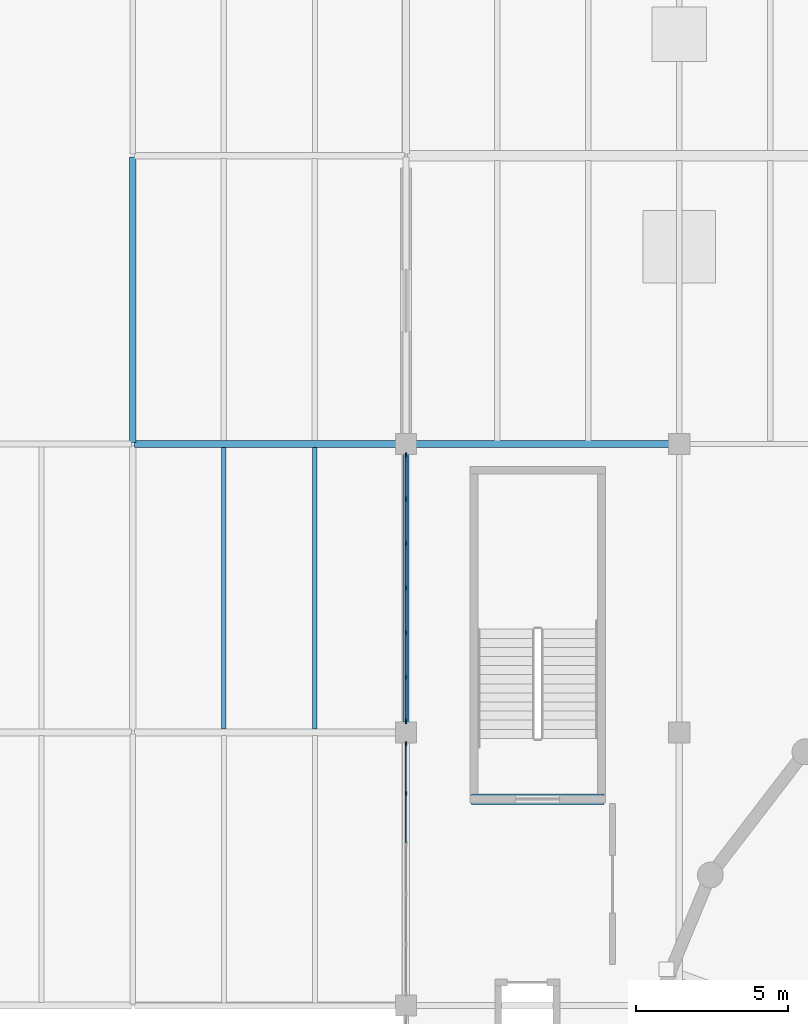
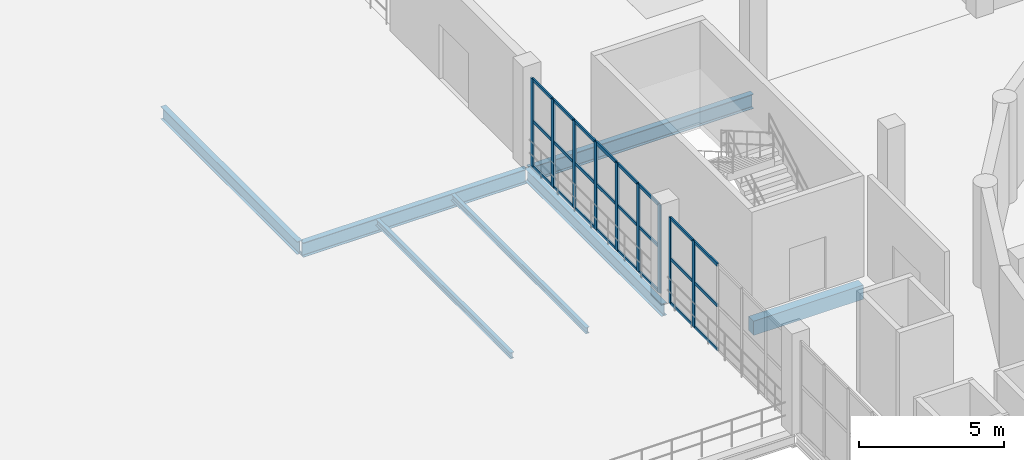
# One storey, part 35 of 73: 33 members, 7 beams, 2 elements without a shape of their own.
"""IFC4 building model written with IfcOpenShell, lengths in metres."""

from ifc_helpers import new_model, si_unit, direction, frame, origin, origin_2d, place, context, subcontext, project, spatial, rectangle, i_section, extrude, material, layer, layer_set, material_profile, profile_set, type_object, element, aggregate, save


model = new_model("IFC4")

# Units and contexts
model_context = context("Model", 3, precision=1e-05, world=origin(), true_north=direction((0.0, 1.0)))
body_context = subcontext(model_context, "Body", "Model", "MODEL_VIEW")
ifc_project = project(units=[si_unit("LENGTHUNIT", "METRE"), si_unit("AREAUNIT", "SQUARE_METRE"), si_unit("VOLUMEUNIT", "CUBIC_METRE"), si_unit("PLANEANGLEUNIT", "RADIAN"), si_unit("MASSUNIT", "GRAM", prefix="KILO")], contexts=[model_context])

# Site, building, storey
site_placement = place(None, origin())
site = spatial("IfcSite", under=ifc_project, at=site_placement, CompositionType="ELEMENT")
building_placement = place(site_placement, origin())
building = spatial("IfcBuilding", under=site, at=building_placement, Name="Marnock Terrace Opera House", CompositionType="ELEMENT")
storey_placement = place(building_placement, frame((0.0, 0.0, 14.699951171875)))
storey = spatial("IfcBuildingStorey", under=building, at=storey_placement, Name="L03", CompositionType="ELEMENT", Elevation=14.699951171875)

# Beams
ifc_material_1 = material(Name="Steel Grade 350 (AS/NZS 3679.1)", Category="steel")
ifc_material_profile_1 = material_profile(ifc_material_1, i_section(OverallWidth=0.208984375, OverallDepth=0.528076171875, WebThickness=0.009521484375, FlangeThickness=0.01318359375, FilletRadius=0.013916015625, at=origin_2d()))
ifc_profile_set_1 = profile_set([ifc_material_profile_1], Name="Steel Grade 350 (AS/NZS 3679.1)")
beam_type_1 = type_object("IfcBeamType", Name="BM-GIRD-530B", PredefinedType="BEAM", material=ifc_profile_set_1)
for number, where, z_axis, x_axis, name in (
    (1, (46.0, 84.550048828125, -0.533935546875), (0.0, 1.0, 0.0), (-1.0, 0.0, 0.0), "L03 girder (X=46.0, 84.5..94.0)"),
    (2, (55.0, 75.050048828125, -0.533935546875), (0.0, 1.0, 0.0), (-1.0, 0.0, 0.0), "L03 girder (X=55.0, 75.0..84.5)"),
):
    element("IfcBeam", number, at=place(storey_placement, frame(where, z_axis=z_axis, x_axis=x_axis)), inside=storey, type_object=beam_type_1, Name=name, PredefinedType="BEAM", context=body_context, shape_type="SweptSolid", body=[
        extrude(i_section(OverallWidth=0.208984375, OverallDepth=0.528076171875, WebThickness=0.009521484375, FlangeThickness=0.01318359375, FilletRadius=0.013916015625, at=origin_2d()), origin(), (0.0, 0.0, 1.0), 9.39990234375),
    ])
ifc_material_profile_2 = material_profile(ifc_material_1, i_section(OverallWidth=0.22900390625, OverallDepth=0.611572265625, WebThickness=0.011962890625, FlangeThickness=0.01953125, FilletRadius=0.013916015625, at=origin_2d()))
ifc_profile_set_2 = profile_set([ifc_material_profile_2], Name="Steel Grade 350 (AS/NZS 3679.1)")
beam_type_2 = type_object("IfcBeamType", Name="BM-GIRD-610A", PredefinedType="BEAM", material=ifc_profile_set_2)
beam_1_placement = place(storey_placement, frame((55.050048828125, 84.5, -0.57568359375), z_axis=(1.0, 0.0, 0.0), x_axis=(0.0, 1.0, 0.0)))
element("IfcBeam", 3, at=beam_1_placement, inside=storey, type_object=beam_type_2, Name="L03 girder (55.0..64.0, Y=84.5)", PredefinedType="BEAM", context=body_context, shape_type="SweptSolid", body=[
    extrude(i_section(OverallWidth=0.22900390625, OverallDepth=0.611572265625, WebThickness=0.011962890625, FlangeThickness=0.01953125, FilletRadius=0.013916015625, at=origin_2d()), origin(), (0.0, 0.0, 1.0), 8.89990234375),
])
ifc_material_profile_3 = material_profile(ifc_material_1, i_section(OverallWidth=0.22802734375, OverallDepth=0.60693359375, WebThickness=0.01123046875, FlangeThickness=0.017333984375, FilletRadius=0.013916015625, at=origin_2d()))
ifc_profile_set_3 = profile_set([ifc_material_profile_3], Name="Steel Grade 350 (AS/NZS 3679.1)")
beam_type_3 = type_object("IfcBeamType", Name="BM-GIRD-610B", PredefinedType="BEAM", material=ifc_profile_set_3)
beam_2_placement = place(storey_placement, frame((46.050048828125, 84.5, -0.573486328125), z_axis=(1.0, 0.0, 0.0), x_axis=(0.0, 1.0, 0.0)))
element("IfcBeam", 4, at=beam_2_placement, inside=storey, type_object=beam_type_3, Name="L03 girder (46.0..55.0, Y=84.5)", PredefinedType="BEAM", context=body_context, shape_type="SweptSolid", body=[
    extrude(i_section(OverallWidth=0.22802734375, OverallDepth=0.60693359375, WebThickness=0.01123046875, FlangeThickness=0.017333984375, FilletRadius=0.013916015625, at=origin_2d()), origin(), (0.0, 0.0, 1.0), 8.89990234375),
])
ifc_material_profile_4 = material_profile(ifc_material_1, i_section(OverallWidth=0.14599609375, OverallDepth=0.256103515625, WebThickness=0.00634765625, FlangeThickness=0.010986328125, FilletRadius=0.0087890625, at=origin_2d()))
ifc_profile_set_4 = profile_set([ifc_material_profile_4], Name="Steel Grade 350 (AS/NZS 3679.1)")
beam_type_4 = type_object("IfcBeamType", Name="BM-JOIST-250", PredefinedType="JOIST", material=ifc_profile_set_4)
for number, where, z_axis, x_axis, name in (
    (5, (49.0, 75.109619140625, -0.39794921875), (0.0, 1.0, 0.0), (-1.0, 0.0, 0.0), "L03 secondary joist 5.9.1"),
    (6, (52.0, 75.109619140625, -0.39794921875), (0.0, 1.0, 0.0), (-1.0, 0.0, 0.0), "L03 secondary joist 5.9.2"),
):
    element("IfcBeam", number, at=place(storey_placement, frame(where, z_axis=z_axis, x_axis=x_axis)), inside=storey, type_object=beam_type_4, Name=name, PredefinedType="JOIST", context=body_context, shape_type="SweptSolid", body=[
        extrude(i_section(OverallWidth=0.14599609375, OverallDepth=0.256103515625, WebThickness=0.00634765625, FlangeThickness=0.010986328125, FilletRadius=0.0087890625, at=origin_2d()), origin(), (0.0, 0.0, 1.0), 9.281494140625),
    ])
ifc_material_2 = material(Name="Concrete N40 (f'c = 40 MPa)", Category="concrete")
ifc_material_profile_5 = material_profile(ifc_material_2, rectangle(XDim=0.35009765625, YDim=0.60009765625, at=origin_2d()))
ifc_profile_set_5 = profile_set([ifc_material_profile_5], Name="Concrete N40 (f'c = 40 MPa)")
beam_type_5 = type_object("IfcBeamType", Name="BM-LINT-RC350", PredefinedType="LINTEL", material=ifc_profile_set_5)
beam_3_placement = place(storey_placement, frame((57.159912109375, 72.800048828125, -0.60986328125), z_axis=(1.0, 0.0, 0.0), x_axis=(0.0, 1.0, 0.0)))
element("IfcBeam", 7, at=beam_3_placement, inside=storey, type_object=beam_type_5, Name="L02 Core C3 coupling lintel", PredefinedType="LINTEL", context=body_context, shape_type="SweptSolid", body=[
    extrude(rectangle(XDim=0.35009765625, YDim=0.60009765625, at=origin_2d()), origin(), (0.0, 0.0, 1.0), 4.360107421875),
])

# Curtain wall, members
ifc_material_3 = material(Name="Anodised architectural bronze aluminium framing", Category="aluminium")
ifc_layer = layer(ifc_material_3, 0.159912109375)
ifc_layer_set = layer_set([ifc_layer], Name="Anodised architectural bronze aluminium framing")
curtain_wall_type = type_object("IfcCurtainWallType", Name="CW-FOYER-90x42", PredefinedType="NOTDEFINED", material=ifc_layer_set)
curtain_wall_1_placement = place(storey_placement, origin())
curtain_wall_1 = element("IfcCurtainWall", 8, at=curtain_wall_1_placement, inside=storey, type_object=curtain_wall_type, Name="L03 glazed Beaux-Arts colonnade curtain wall CW-V1W-L03-08", PredefinedType="NOTDEFINED")
ifc_material_profile_6 = material_profile(ifc_material_3, rectangle(XDim=0.06005859375, YDim=0.14990234375, at=origin_2d()))
ifc_profile_set_6 = profile_set([ifc_material_profile_6], Name="Anodised architectural bronze aluminium framing")
member_type_1 = type_object("IfcMemberType", Name="CWM-60x150", PredefinedType="MULLION", material=ifc_profile_set_6)
member_1_placement = place(storey_placement, frame((55.0, 72.992431640625, 0.0), z_axis=(0.0, 0.0, 1.0), x_axis=(-1.0, 0.0, 0.0)))
member_1 = element("IfcMember", 9, at=member_1_placement, type_object=member_type_1, Name="CW-68 mullion 5", PredefinedType="MULLION", context=body_context, shape_type="SweptSolid", body=[
    extrude(rectangle(XDim=0.06005859375, YDim=0.14990234375, at=origin_2d()), origin(), (0.0, 0.0, 1.0), 3.6181640625),
])
member_2_placement = place(storey_placement, frame((55.0, 74.6240234375, 0.0), z_axis=(0.0, 0.0, 1.0), x_axis=(-1.0, 0.0, 0.0)))
member_2 = element("IfcMember", 10, at=member_2_placement, type_object=member_type_1, Name="CW-68 mullion 6", PredefinedType="MULLION", context=body_context, shape_type="SweptSolid", body=[
    extrude(rectangle(XDim=0.06005859375, YDim=0.14990234375, at=origin_2d()), origin(), (0.0, 0.0, 1.0), 3.6181640625),
])

curtain_wall_2_placement = place(storey_placement, origin())
curtain_wall_2 = element("IfcCurtainWall", 11, at=curtain_wall_2_placement, inside=storey, type_object=curtain_wall_type, Name="L03 glazed Beaux-Arts colonnade curtain wall CW-V1W-L03-09", PredefinedType="NOTDEFINED")
ifc_material_profile_7 = material_profile(ifc_material_3, rectangle(XDim=0.06494140625, YDim=0.179931640625, at=origin_2d()))
ifc_profile_set_7 = profile_set([ifc_material_profile_7], Name="Anodised architectural bronze aluminium framing")
member_type_2 = type_object("IfcMemberType", Name="CWM-65x180", PredefinedType="MULLION", material=ifc_profile_set_7)
member_3_placement = place(storey_placement, frame((55.0, 75.3759765625, 0.0), z_axis=(0.0, 0.0, 1.0), x_axis=(-1.0, 0.0, 0.0)))
member_3 = element("IfcMember", 12, at=member_3_placement, type_object=member_type_2, Name="CW-68 mullion 1", PredefinedType="MULLION", context=body_context, shape_type="SweptSolid", body=[
    extrude(rectangle(XDim=0.06494140625, YDim=0.179931640625, at=origin_2d()), origin(), (0.0, 0.0, 1.0), 3.692138671875),
])
member_4_placement = place(storey_placement, frame((55.0, 76.81396484375, 0.0), z_axis=(0.0, 0.0, 1.0), x_axis=(-1.0, 0.0, 0.0)))
member_4 = element("IfcMember", 13, at=member_4_placement, type_object=member_type_2, Name="CW-68 mullion 2", PredefinedType="MULLION", context=body_context, shape_type="SweptSolid", body=[
    extrude(rectangle(XDim=0.06494140625, YDim=0.179931640625, at=origin_2d()), origin(), (0.0, 0.0, 1.0), 3.692138671875),
])
member_5_placement = place(storey_placement, frame((55.0, 78.281982421875, 0.0), z_axis=(0.0, 0.0, 1.0), x_axis=(-1.0, 0.0, 0.0)))
member_5 = element("IfcMember", 14, at=member_5_placement, type_object=member_type_2, Name="CW-68 mullion 3", PredefinedType="MULLION", context=body_context, shape_type="SweptSolid", body=[
    extrude(rectangle(XDim=0.06494140625, YDim=0.179931640625, at=origin_2d()), origin(), (0.0, 0.0, 1.0), 3.692138671875),
])
member_6_placement = place(storey_placement, frame((55.0, 79.75, 0.0), z_axis=(0.0, 0.0, 1.0), x_axis=(-1.0, 0.0, 0.0)))
member_6 = element("IfcMember", 15, at=member_6_placement, type_object=member_type_2, Name="CW-68 mullion 4", PredefinedType="MULLION", context=body_context, shape_type="SweptSolid", body=[
    extrude(rectangle(XDim=0.06494140625, YDim=0.179931640625, at=origin_2d()), origin(), (0.0, 0.0, 1.0), 3.692138671875),
])
member_7_placement = place(storey_placement, frame((55.0, 81.218017578125, 0.0), z_axis=(0.0, 0.0, 1.0), x_axis=(-1.0, 0.0, 0.0)))
member_7 = element("IfcMember", 16, at=member_7_placement, type_object=member_type_2, Name="CW-68 mullion 5", PredefinedType="MULLION", context=body_context, shape_type="SweptSolid", body=[
    extrude(rectangle(XDim=0.06494140625, YDim=0.179931640625, at=origin_2d()), origin(), (0.0, 0.0, 1.0), 3.692138671875),
])
member_8_placement = place(storey_placement, frame((55.0, 82.68603515625, 0.0), z_axis=(0.0, 0.0, 1.0), x_axis=(-1.0, 0.0, 0.0)))
member_8 = element("IfcMember", 17, at=member_8_placement, type_object=member_type_2, Name="CW-68 mullion 6", PredefinedType="MULLION", context=body_context, shape_type="SweptSolid", body=[
    extrude(rectangle(XDim=0.06494140625, YDim=0.179931640625, at=origin_2d()), origin(), (0.0, 0.0, 1.0), 3.692138671875),
])
member_9_placement = place(storey_placement, frame((55.0, 84.1240234375, 0.0), z_axis=(0.0, 0.0, 1.0), x_axis=(-1.0, 0.0, 0.0)))
member_9 = element("IfcMember", 18, at=member_9_placement, type_object=member_type_2, Name="CW-68 mullion 7", PredefinedType="MULLION", context=body_context, shape_type="SweptSolid", body=[
    extrude(rectangle(XDim=0.06494140625, YDim=0.179931640625, at=origin_2d()), origin(), (0.0, 0.0, 1.0), 3.692138671875),
])

# Member
ifc_material_profile_8 = material_profile(ifc_material_3, rectangle(XDim=0.06005859375, YDim=0.1298828125, at=origin_2d()))
ifc_profile_set_8 = profile_set([ifc_material_profile_8], Name="Anodised architectural bronze aluminium framing")
member_type_3 = type_object("IfcMemberType", Name="CWT-60x130", PredefinedType="USERDEFINED", material=ifc_profile_set_8)
member_10_placement = place(storey_placement, frame((55.0, 71.36083984375, 0.030029296875), z_axis=(0.0, 1.0, 0.0), x_axis=(-1.0, 0.0, 0.0)))
member_10 = element("IfcMember", 19, at=member_10_placement, type_object=member_type_3, Name="CW-68 transom 4.1", ObjectType="TRANSOM", PredefinedType="USERDEFINED", context=body_context, shape_type="SweptSolid", body=[
    extrude(rectangle(XDim=0.06005859375, YDim=0.1298828125, at=origin_2d()), origin(), (0.0, 0.0, 1.0), 1.6015625),
])

member_11_placement = place(storey_placement, frame((55.0, 71.36083984375, 1.88134765625), z_axis=(0.0, 1.0, 0.0), x_axis=(-1.0, 0.0, 0.0)))
member_11 = element("IfcMember", 20, at=member_11_placement, type_object=member_type_3, Name="CW-68 transom 4.2", ObjectType="TRANSOM", PredefinedType="USERDEFINED", context=body_context, shape_type="SweptSolid", body=[
    extrude(rectangle(XDim=0.06005859375, YDim=0.1298828125, at=origin_2d()), origin(), (0.0, 0.0, 1.0), 1.6015625),
])

member_12_placement = place(storey_placement, frame((55.0, 71.36083984375, 3.588134765625), z_axis=(0.0, 1.0, 0.0), x_axis=(-1.0, 0.0, 0.0)))
member_12 = element("IfcMember", 21, at=member_12_placement, type_object=member_type_3, Name="CW-68 transom 4.3", ObjectType="TRANSOM", PredefinedType="USERDEFINED", context=body_context, shape_type="SweptSolid", body=[
    extrude(rectangle(XDim=0.06005859375, YDim=0.1298828125, at=origin_2d()), origin(), (0.0, 0.0, 1.0), 1.6015625),
])

member_13_placement = place(storey_placement, frame((55.0, 73.0224609375, 0.030029296875), z_axis=(0.0, 1.0, 0.0), x_axis=(-1.0, 0.0, 0.0)))
member_13 = element("IfcMember", 22, at=member_13_placement, type_object=member_type_3, Name="CW-68 transom 5.1", ObjectType="TRANSOM", PredefinedType="USERDEFINED", context=body_context, shape_type="SweptSolid", body=[
    extrude(rectangle(XDim=0.06005859375, YDim=0.1298828125, at=origin_2d()), origin(), (0.0, 0.0, 1.0), 1.571533203125),
])

member_14_placement = place(storey_placement, frame((55.0, 73.0224609375, 1.88134765625), z_axis=(0.0, 1.0, 0.0), x_axis=(-1.0, 0.0, 0.0)))
member_14 = element("IfcMember", 23, at=member_14_placement, type_object=member_type_3, Name="CW-68 transom 5.2", ObjectType="TRANSOM", PredefinedType="USERDEFINED", context=body_context, shape_type="SweptSolid", body=[
    extrude(rectangle(XDim=0.06005859375, YDim=0.1298828125, at=origin_2d()), origin(), (0.0, 0.0, 1.0), 1.571533203125),
])

member_15_placement = place(storey_placement, frame((55.0, 73.0224609375, 3.588134765625), z_axis=(0.0, 1.0, 0.0), x_axis=(-1.0, 0.0, 0.0)))
member_15 = element("IfcMember", 24, at=member_15_placement, type_object=member_type_3, Name="CW-68 transom 5.3", ObjectType="TRANSOM", PredefinedType="USERDEFINED", context=body_context, shape_type="SweptSolid", body=[
    extrude(rectangle(XDim=0.06005859375, YDim=0.1298828125, at=origin_2d()), origin(), (0.0, 0.0, 1.0), 1.571533203125),
])

aggregate(curtain_wall_1, [member_1, member_2, member_10, member_11, member_12, member_13, member_14, member_15])

member_16_placement = place(storey_placement, frame((55.0, 75.406005859375, 0.030029296875), z_axis=(0.0, 1.0, 0.0), x_axis=(-1.0, 0.0, 0.0)))
member_16 = element("IfcMember", 25, at=member_16_placement, type_object=member_type_3, Name="CW-68 transom 1.1", ObjectType="TRANSOM", PredefinedType="USERDEFINED", context=body_context, shape_type="SweptSolid", body=[
    extrude(rectangle(XDim=0.06005859375, YDim=0.1298828125, at=origin_2d()), origin(), (0.0, 0.0, 1.0), 1.3779296875),
])

member_17_placement = place(storey_placement, frame((55.0, 75.406005859375, 1.919921875), z_axis=(0.0, 1.0, 0.0), x_axis=(-1.0, 0.0, 0.0)))
member_17 = element("IfcMember", 26, at=member_17_placement, type_object=member_type_3, Name="CW-68 transom 1.2", ObjectType="TRANSOM", PredefinedType="USERDEFINED", context=body_context, shape_type="SweptSolid", body=[
    extrude(rectangle(XDim=0.06005859375, YDim=0.1298828125, at=origin_2d()), origin(), (0.0, 0.0, 1.0), 1.3779296875),
])

member_18_placement = place(storey_placement, frame((55.0, 75.406005859375, 3.662109375), z_axis=(0.0, 1.0, 0.0), x_axis=(-1.0, 0.0, 0.0)))
member_18 = element("IfcMember", 27, at=member_18_placement, type_object=member_type_3, Name="CW-68 transom 1.3", ObjectType="TRANSOM", PredefinedType="USERDEFINED", context=body_context, shape_type="SweptSolid", body=[
    extrude(rectangle(XDim=0.06005859375, YDim=0.1298828125, at=origin_2d()), origin(), (0.0, 0.0, 1.0), 1.3779296875),
])

member_19_placement = place(storey_placement, frame((55.0, 76.843994140625, 0.030029296875), z_axis=(0.0, 1.0, 0.0), x_axis=(-1.0, 0.0, 0.0)))
member_19 = element("IfcMember", 28, at=member_19_placement, type_object=member_type_3, Name="CW-68 transom 2.1", ObjectType="TRANSOM", PredefinedType="USERDEFINED", context=body_context, shape_type="SweptSolid", body=[
    extrude(rectangle(XDim=0.06005859375, YDim=0.1298828125, at=origin_2d()), origin(), (0.0, 0.0, 1.0), 1.407958984375),
])

member_20_placement = place(storey_placement, frame((55.0, 76.843994140625, 1.919921875), z_axis=(0.0, 1.0, 0.0), x_axis=(-1.0, 0.0, 0.0)))
member_20 = element("IfcMember", 29, at=member_20_placement, type_object=member_type_3, Name="CW-68 transom 2.2", ObjectType="TRANSOM", PredefinedType="USERDEFINED", context=body_context, shape_type="SweptSolid", body=[
    extrude(rectangle(XDim=0.06005859375, YDim=0.1298828125, at=origin_2d()), origin(), (0.0, 0.0, 1.0), 1.407958984375),
])

member_21_placement = place(storey_placement, frame((55.0, 76.843994140625, 3.662109375), z_axis=(0.0, 1.0, 0.0), x_axis=(-1.0, 0.0, 0.0)))
member_21 = element("IfcMember", 30, at=member_21_placement, type_object=member_type_3, Name="CW-68 transom 2.3", ObjectType="TRANSOM", PredefinedType="USERDEFINED", context=body_context, shape_type="SweptSolid", body=[
    extrude(rectangle(XDim=0.06005859375, YDim=0.1298828125, at=origin_2d()), origin(), (0.0, 0.0, 1.0), 1.407958984375),
])

member_22_placement = place(storey_placement, frame((55.0, 78.31201171875, 0.030029296875), z_axis=(0.0, 1.0, 0.0), x_axis=(-1.0, 0.0, 0.0)))
member_22 = element("IfcMember", 31, at=member_22_placement, type_object=member_type_3, Name="CW-68 transom 3.1", ObjectType="TRANSOM", PredefinedType="USERDEFINED", context=body_context, shape_type="SweptSolid", body=[
    extrude(rectangle(XDim=0.06005859375, YDim=0.1298828125, at=origin_2d()), origin(), (0.0, 0.0, 1.0), 1.407958984375),
])

member_23_placement = place(storey_placement, frame((55.0, 78.31201171875, 1.919921875), z_axis=(0.0, 1.0, 0.0), x_axis=(-1.0, 0.0, 0.0)))
member_23 = element("IfcMember", 32, at=member_23_placement, type_object=member_type_3, Name="CW-68 transom 3.2", ObjectType="TRANSOM", PredefinedType="USERDEFINED", context=body_context, shape_type="SweptSolid", body=[
    extrude(rectangle(XDim=0.06005859375, YDim=0.1298828125, at=origin_2d()), origin(), (0.0, 0.0, 1.0), 1.407958984375),
])

member_24_placement = place(storey_placement, frame((55.0, 78.31201171875, 3.662109375), z_axis=(0.0, 1.0, 0.0), x_axis=(-1.0, 0.0, 0.0)))
member_24 = element("IfcMember", 33, at=member_24_placement, type_object=member_type_3, Name="CW-68 transom 3.3", ObjectType="TRANSOM", PredefinedType="USERDEFINED", context=body_context, shape_type="SweptSolid", body=[
    extrude(rectangle(XDim=0.06005859375, YDim=0.1298828125, at=origin_2d()), origin(), (0.0, 0.0, 1.0), 1.407958984375),
])

member_25_placement = place(storey_placement, frame((55.0, 79.780029296875, 0.030029296875), z_axis=(0.0, 1.0, 0.0), x_axis=(-1.0, 0.0, 0.0)))
member_25 = element("IfcMember", 34, at=member_25_placement, type_object=member_type_3, Name="CW-68 transom 4.1", ObjectType="TRANSOM", PredefinedType="USERDEFINED", context=body_context, shape_type="SweptSolid", body=[
    extrude(rectangle(XDim=0.06005859375, YDim=0.1298828125, at=origin_2d()), origin(), (0.0, 0.0, 1.0), 1.407958984375),
])

member_26_placement = place(storey_placement, frame((55.0, 79.780029296875, 1.919921875), z_axis=(0.0, 1.0, 0.0), x_axis=(-1.0, 0.0, 0.0)))
member_26 = element("IfcMember", 35, at=member_26_placement, type_object=member_type_3, Name="CW-68 transom 4.2", ObjectType="TRANSOM", PredefinedType="USERDEFINED", context=body_context, shape_type="SweptSolid", body=[
    extrude(rectangle(XDim=0.06005859375, YDim=0.1298828125, at=origin_2d()), origin(), (0.0, 0.0, 1.0), 1.407958984375),
])

member_27_placement = place(storey_placement, frame((55.0, 79.780029296875, 3.662109375), z_axis=(0.0, 1.0, 0.0), x_axis=(-1.0, 0.0, 0.0)))
member_27 = element("IfcMember", 36, at=member_27_placement, type_object=member_type_3, Name="CW-68 transom 4.3", ObjectType="TRANSOM", PredefinedType="USERDEFINED", context=body_context, shape_type="SweptSolid", body=[
    extrude(rectangle(XDim=0.06005859375, YDim=0.1298828125, at=origin_2d()), origin(), (0.0, 0.0, 1.0), 1.407958984375),
])

member_28_placement = place(storey_placement, frame((55.0, 81.248046875, 0.030029296875), z_axis=(0.0, 1.0, 0.0), x_axis=(-1.0, 0.0, 0.0)))
member_28 = element("IfcMember", 37, at=member_28_placement, type_object=member_type_3, Name="CW-68 transom 5.1", ObjectType="TRANSOM", PredefinedType="USERDEFINED", context=body_context, shape_type="SweptSolid", body=[
    extrude(rectangle(XDim=0.06005859375, YDim=0.1298828125, at=origin_2d()), origin(), (0.0, 0.0, 1.0), 1.407958984375),
])

member_29_placement = place(storey_placement, frame((55.0, 81.248046875, 1.919921875), z_axis=(0.0, 1.0, 0.0), x_axis=(-1.0, 0.0, 0.0)))
member_29 = element("IfcMember", 38, at=member_29_placement, type_object=member_type_3, Name="CW-68 transom 5.2", ObjectType="TRANSOM", PredefinedType="USERDEFINED", context=body_context, shape_type="SweptSolid", body=[
    extrude(rectangle(XDim=0.06005859375, YDim=0.1298828125, at=origin_2d()), origin(), (0.0, 0.0, 1.0), 1.407958984375),
])

member_30_placement = place(storey_placement, frame((55.0, 81.248046875, 3.662109375), z_axis=(0.0, 1.0, 0.0), x_axis=(-1.0, 0.0, 0.0)))
member_30 = element("IfcMember", 39, at=member_30_placement, type_object=member_type_3, Name="CW-68 transom 5.3", ObjectType="TRANSOM", PredefinedType="USERDEFINED", context=body_context, shape_type="SweptSolid", body=[
    extrude(rectangle(XDim=0.06005859375, YDim=0.1298828125, at=origin_2d()), origin(), (0.0, 0.0, 1.0), 1.407958984375),
])

member_31_placement = place(storey_placement, frame((55.0, 82.716064453125, 0.030029296875), z_axis=(0.0, 1.0, 0.0), x_axis=(-1.0, 0.0, 0.0)))
member_31 = element("IfcMember", 40, at=member_31_placement, type_object=member_type_3, Name="CW-68 transom 6.1", ObjectType="TRANSOM", PredefinedType="USERDEFINED", context=body_context, shape_type="SweptSolid", body=[
    extrude(rectangle(XDim=0.06005859375, YDim=0.1298828125, at=origin_2d()), origin(), (0.0, 0.0, 1.0), 1.3779296875),
])

member_32_placement = place(storey_placement, frame((55.0, 82.716064453125, 1.919921875), z_axis=(0.0, 1.0, 0.0), x_axis=(-1.0, 0.0, 0.0)))
member_32 = element("IfcMember", 41, at=member_32_placement, type_object=member_type_3, Name="CW-68 transom 6.2", ObjectType="TRANSOM", PredefinedType="USERDEFINED", context=body_context, shape_type="SweptSolid", body=[
    extrude(rectangle(XDim=0.06005859375, YDim=0.1298828125, at=origin_2d()), origin(), (0.0, 0.0, 1.0), 1.3779296875),
])

member_33_placement = place(storey_placement, frame((55.0, 82.716064453125, 3.662109375), z_axis=(0.0, 1.0, 0.0), x_axis=(-1.0, 0.0, 0.0)))
member_33 = element("IfcMember", 42, at=member_33_placement, type_object=member_type_3, Name="CW-68 transom 6.3", ObjectType="TRANSOM", PredefinedType="USERDEFINED", context=body_context, shape_type="SweptSolid", body=[
    extrude(rectangle(XDim=0.06005859375, YDim=0.1298828125, at=origin_2d()), origin(), (0.0, 0.0, 1.0), 1.3779296875),
])

aggregate(curtain_wall_2, [member_3, member_4, member_5, member_6, member_7, member_8, member_9, member_16, member_17, member_18, member_19, member_20, member_21, member_22, member_23, member_24, member_25, member_26, member_27, member_28, member_29, member_30, member_31, member_32, member_33])

save(model, "model.ifc")
